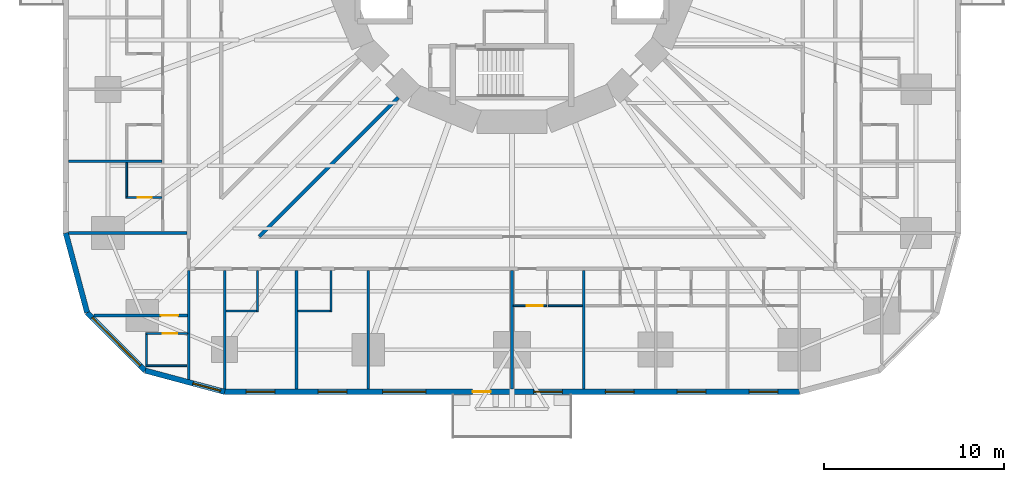
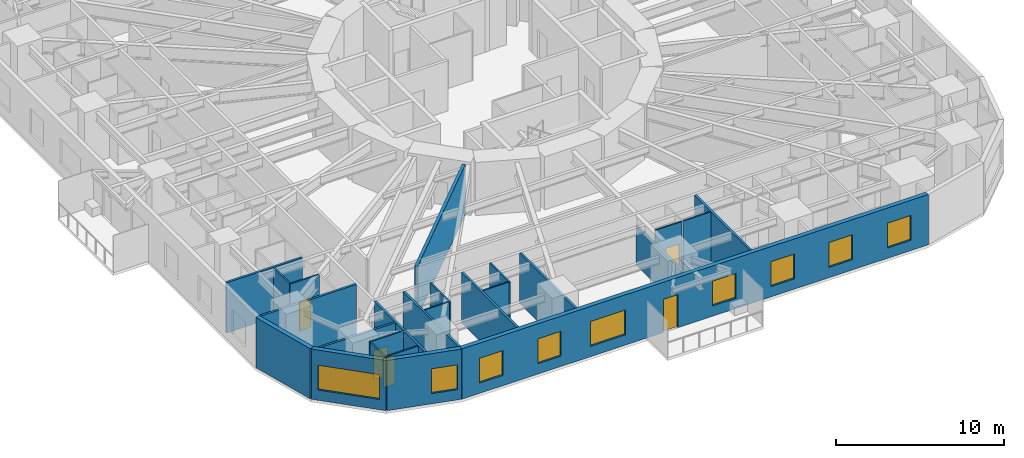
# One storey, part 4 of 14: 25 walls, 9 windows, 5 doors, 14 openings.
"""IFC4 building model written with IfcOpenShell, lengths in metres."""

from ifc_helpers import new_model, si_unit, direction, frame, frame_2d, origin, place, context, subcontext, project, spatial, rectangle, extrude, material, layer, layer_set, type_object, element, fill, save


model = new_model("IFC4")

# Units and contexts
model_context = context("Model", 3, precision=1e-05, world=origin(), true_north=direction((0.0, 1.0)))
body_context = subcontext(model_context, "Body", "Model", "MODEL_VIEW")
ifc_project = project(units=[si_unit("LENGTHUNIT", "METRE"), si_unit("AREAUNIT", "SQUARE_METRE"), si_unit("VOLUMEUNIT", "CUBIC_METRE"), si_unit("PLANEANGLEUNIT", "RADIAN"), si_unit("MASSUNIT", "GRAM", prefix="KILO")], contexts=[model_context])

# Site, building, storey
site_placement = place(None, origin())
site = spatial("IfcSite", under=ifc_project, at=site_placement, CompositionType="ELEMENT")
building_placement = place(site_placement, origin())
building = spatial("IfcBuilding", under=site, at=building_placement, Name="Nakasero Lantern House", CompositionType="ELEMENT")
storey_placement = place(building_placement, frame((0.0, 0.0, 39.10009765625)))
storey = spatial("IfcBuildingStorey", under=building, at=storey_placement, Name="L09", CompositionType="ELEMENT", Elevation=39.10009765625)

# Wall
ifc_material_1 = material(Name="Blockwork", Category="masonry")
ifc_layer_1 = layer(ifc_material_1, 0.199951171875)
ifc_layer_set_1 = layer_set([ifc_layer_1], Name="Corridor wall 200")
wall_type_1 = type_object("IfcWallType", Name="Corridor wall 200", PredefinedType="PARTITIONING", material=ifc_layer_set_1)
wall_1_placement = place(storey_placement, frame((-6.334228515625, -8.45556640625, 0.0), z_axis=(0.0, 0.0, 1.0), x_axis=(-0.707106781187, -0.707106781187, 0.0)))
element("IfcWall", 1, at=wall_1_placement, inside=storey, type_object=wall_type_1, Name="Corridor wall L09 PS10a", PredefinedType="PARTITIONING", context=body_context, shape_type="SweptSolid", body=[
    extrude(rectangle(XDim=10.9521484375, YDim=0.199951171875, at=frame_2d((5.47607421875, 0.0))), origin(), (0.0, 0.0, 1.0), 3.64990234375),
])

# Wall, opening, door
ifc_material_2 = material(Name="Blockwork", Category="masonry")
ifc_layer_2 = layer(ifc_material_2, 0.10009765625)
ifc_layer_set_2 = layer_set([ifc_layer_2], Name="En-suite wall 100")
wall_type_2 = type_object("IfcWallType", Name="En-suite wall 100", PredefinedType="PARTITIONING", material=ifc_layer_set_2)
wall_2_placement = place(storey_placement, frame((-19.5, -14.02490234375, 0.0), z_axis=(0.0, 0.0, 1.0), x_axis=(-1.0, 0.0, 0.0)))
wall_2 = element("IfcWall", 2, at=wall_2_placement, inside=storey, type_object=wall_type_2, Name="En-suite wall L09 ES2-08", PredefinedType="PARTITIONING", context=body_context, shape_type="SweptSolid", body=[
    extrude(rectangle(XDim=2.0, YDim=0.10009765625, at=frame_2d((1.0, 0.0))), origin(), (0.0, 0.0, 1.0), 3.64990234375),
])
opening_1_placement = place(wall_2_placement, frame((0.550048828125, 0.0, 0.0)))
opening_1 = element("IfcOpeningElement", 3, at=opening_1_placement, cuts=wall_2, Name="Opening D02", PredefinedType="OPENING", context=body_context, shape_type="SweptSolid", body=[
    extrude(rectangle(XDim=0.800048828125, YDim=2.10009765625, at=frame_2d((0.39990234375, 1.050048828125))), frame((0.0, 0.070068359375, 0.0), z_axis=(0.0, -1.0, 0.0), x_axis=(1.0, 0.0, 0.0)), (0.0, 0.0, 1.0), 0.14013671875),
])
ifc_material_3 = material(Name="Timber C24", Category="wood")
door_type_1 = type_object("IfcDoorType", Name="En-suite door 800", OperationType="SINGLE_SWING_RIGHT", PredefinedType="DOOR", material=ifc_material_3)
door_1_placement = place(opening_1_placement, origin())
door_1 = element("IfcDoor", 4, at=door_1_placement, inside=storey, type_object=door_type_1, Name="Door L09 DE2-08", OperationType="SINGLE_SWING_LEFT", OverallHeight=2.10009765625, OverallWidth=0.800048828125, PredefinedType="DOOR", context=body_context, shape_type="SweptSolid", body=[
    extrude(rectangle(XDim=0.800048828125, YDim=2.10009765625, at=frame_2d((0.39990234375, 1.050048828125))), frame((0.0, 0.02490234375, 0.0), z_axis=(0.0, -1.0, 0.0), x_axis=(1.0, 0.0, 0.0)), (0.0, 0.0, 1.0), 0.050048828125),
])
fill(opening_1, door_1)

# Wall
wall_3_placement = place(storey_placement, frame((-21.449951171875, -12.074951171875, 0.0), z_axis=(0.0, 0.0, 1.0), x_axis=(0.0, -1.0, 0.0)))
element("IfcWall", 5, at=wall_3_placement, inside=storey, type_object=wall_type_2, Name="En-suite wall L09 EE2-08", PredefinedType="PARTITIONING", context=body_context, shape_type="SweptSolid", body=[
    extrude(rectangle(XDim=1.900146484375, YDim=0.10009765625, at=frame_2d((0.9501953125, 0.0))), origin(), (0.0, 0.0, 1.0), 3.64990234375),
])

# Wall, opening, door
wall_4_placement = place(storey_placement, frame((-18.06494140625, -21.59619140625, 0.0), z_axis=(0.0, 0.0, 1.0), x_axis=(-1.0, 0.0, 0.0)))
wall_4 = element("IfcWall", 6, at=wall_4_placement, inside=storey, type_object=wall_type_2, Name="En-suite wall L09 ES2-09", PredefinedType="PARTITIONING", context=body_context, shape_type="SweptSolid", body=[
    extrude(rectangle(XDim=2.3349609375, YDim=0.10009765625, at=frame_2d((1.16748046875, 0.0))), origin(), (0.0, 0.0, 1.0), 3.64990234375),
])
opening_2_placement = place(wall_4_placement, frame((0.5849609375, 0.0, 0.0)))
opening_2 = element("IfcOpeningElement", 7, at=opening_2_placement, cuts=wall_4, Name="Opening D02", PredefinedType="OPENING", context=body_context, shape_type="SweptSolid", body=[
    extrude(rectangle(XDim=0.800048828125, YDim=2.10009765625, at=frame_2d((0.39990234375, 1.050048828125))), frame((0.0, 0.070068359375, 0.0), z_axis=(0.0, -1.0, 0.0), x_axis=(1.0, 0.0, 0.0)), (0.0, 0.0, 1.0), 0.14013671875),
])
door_2_placement = place(opening_2_placement, origin())
door_2 = element("IfcDoor", 8, at=door_2_placement, inside=storey, type_object=door_type_1, Name="Door L09 DE2-09", OperationType="SINGLE_SWING_LEFT", OverallHeight=2.10009765625, OverallWidth=0.800048828125, PredefinedType="DOOR", context=body_context, shape_type="SweptSolid", body=[
    extrude(rectangle(XDim=0.800048828125, YDim=2.10009765625, at=frame_2d((0.39990234375, 1.050048828125))), frame((0.0, 0.02490234375, 0.0), z_axis=(0.0, -1.0, 0.0), x_axis=(1.0, 0.0, 0.0)), (0.0, 0.0, 1.0), 0.050048828125),
])
fill(opening_2, door_2)

# Walls
wall_5_placement = place(storey_placement, frame((-20.35009765625, -21.646240234375, 0.0), z_axis=(0.0, 0.0, 1.0), x_axis=(0.0, -1.0, 0.0)))
element("IfcWall", 9, at=wall_5_placement, inside=storey, type_object=wall_type_2, Name="En-suite wall L09 EE2-09", PredefinedType="PARTITIONING", context=body_context, shape_type="SweptSolid", body=[
    extrude(rectangle(XDim=1.699951171875, YDim=0.10009765625, at=frame_2d((0.85009765625, 0.0))), origin(), (0.0, 0.0, 1.0), 3.64990234375),
])
for number, where, z_axis, x_axis, name in (
    (10, (-18.10009765625, -23.396240234375, 0.0), (0.0, 0.0, 1.0), (-1.0, 0.0, 0.0), "En-suite wall L09 EV2-09"),
    (11, (-14.175048828125, -18.10009765625, 0.0), (0.0, 0.0, 1.0), (0.0, -1.0, 0.0), "En-suite wall L09 ES3-01"),
):
    element("IfcWall", number, at=place(storey_placement, frame(where, z_axis=z_axis, x_axis=x_axis)), inside=storey, type_object=wall_type_2, Name=name, PredefinedType="PARTITIONING", context=body_context, shape_type="SweptSolid", body=[
        extrude(rectangle(XDim=2.2998046875, YDim=0.10009765625, at=frame_2d((1.14990234375, 0.0))), origin(), (0.0, 0.0, 1.0), 3.64990234375),
    ])
wall_6_placement = place(storey_placement, frame((-15.925048828125, -20.35009765625, 0.0), z_axis=(0.0, 0.0, 1.0), x_axis=(1.0, 0.0, 0.0)))
element("IfcWall", 12, at=wall_6_placement, inside=storey, type_object=wall_type_2, Name="En-suite wall L09 EE3-01", PredefinedType="PARTITIONING", context=body_context, shape_type="SweptSolid", body=[
    extrude(rectangle(XDim=1.699951171875, YDim=0.10009765625, at=frame_2d((0.85009765625, 0.0))), origin(), (0.0, 0.0, 1.0), 3.64990234375),
])
wall_7_placement = place(storey_placement, frame((-10.074951171875, -18.10009765625, 0.0), z_axis=(0.0, 0.0, 1.0), x_axis=(0.0, -1.0, 0.0)))
element("IfcWall", 13, at=wall_7_placement, inside=storey, type_object=wall_type_2, Name="En-suite wall L09 ES3-02", PredefinedType="PARTITIONING", context=body_context, shape_type="SweptSolid", body=[
    extrude(rectangle(XDim=2.2998046875, YDim=0.10009765625, at=frame_2d((1.14990234375, 0.0))), origin(), (0.0, 0.0, 1.0), 3.64990234375),
])
wall_8_placement = place(storey_placement, frame((-11.925048828125, -20.35009765625, 0.0), z_axis=(0.0, 0.0, 1.0), x_axis=(1.0, 0.0, 0.0)))
element("IfcWall", 14, at=wall_8_placement, inside=storey, type_object=wall_type_2, Name="En-suite wall L09 EE3-02", PredefinedType="PARTITIONING", context=body_context, shape_type="SweptSolid", body=[
    extrude(rectangle(XDim=1.800048828125, YDim=0.10009765625, at=frame_2d((0.89990234375, 0.0))), origin(), (0.0, 0.0, 1.0), 3.64990234375),
])
wall_9_placement = place(storey_placement, frame((2.02490234375, -20.050048828125, 0.0), z_axis=(0.0, 0.0, 1.0), x_axis=(1.0, 0.0, 0.0)))
element("IfcWall", 15, at=wall_9_placement, inside=storey, type_object=wall_type_2, Name="En-suite wall L09 EE3-05", PredefinedType="PARTITIONING", context=body_context, shape_type="SweptSolid", body=[
    extrude(rectangle(XDim=1.900146484375, YDim=0.10009765625, at=frame_2d((0.9501953125, 0.0))), origin(), (0.0, 0.0, 1.0), 3.64990234375),
])

# Wall, opening, door
wall_10_placement = place(storey_placement, frame((0.074951171875, -20.050048828125, 0.0), z_axis=(0.0, 0.0, 1.0), x_axis=(1.0, 0.0, 0.0)))
wall_10 = element("IfcWall", 16, at=wall_10_placement, inside=storey, type_object=wall_type_2, Name="En-suite wall L09 EL3-05", PredefinedType="PARTITIONING", context=body_context, shape_type="SweptSolid", body=[
    extrude(rectangle(XDim=1.85009765625, YDim=0.10009765625, at=frame_2d((0.925048828125, 0.0))), origin(), (0.0, 0.0, 1.0), 3.64990234375),
])
opening_3_placement = place(wall_10_placement, frame((0.75, 0.0, 0.0)))
opening_3 = element("IfcOpeningElement", 17, at=opening_3_placement, cuts=wall_10, Name="Opening D17", PredefinedType="OPENING", context=body_context, shape_type="SweptSolid", body=[
    extrude(rectangle(XDim=0.89990234375, YDim=2.10009765625, at=frame_2d((0.449951171875, 1.050048828125))), frame((0.0, 0.070068359375, 0.0), z_axis=(0.0, -1.0, 0.0), x_axis=(1.0, 0.0, 0.0)), (0.0, 0.0, 1.0), 0.14013671875),
])
ifc_material_4 = material(Name="Timber C24", Category="wood")
door_type_2 = type_object("IfcDoorType", Name="Bedroom door FD30S 900", OperationType="SINGLE_SWING_LEFT", PredefinedType="DOOR", material=ifc_material_4)
door_3_placement = place(opening_3_placement, origin())
door_3 = element("IfcDoor", 18, at=door_3_placement, inside=storey, type_object=door_type_2, Name="Door L09 DL3-05", OperationType="SINGLE_SWING_RIGHT", OverallHeight=2.10009765625, OverallWidth=0.89990234375, PredefinedType="DOOR", context=body_context, shape_type="SweptSolid", body=[
    extrude(rectangle(XDim=0.89990234375, YDim=2.10009765625, at=frame_2d((0.449951171875, 1.050048828125))), frame((0.0, 0.02490234375, 0.0), z_axis=(0.0, -1.0, 0.0), x_axis=(1.0, 0.0, 0.0)), (0.0, 0.0, 1.0), 0.050048828125),
])
fill(opening_3, door_3)

# Wall
ifc_material_5 = material(Name="Aluminium rainscreen on blockwork", Category="masonry")
ifc_layer_3 = layer(ifc_material_5, 0.300048828125)
ifc_layer_set_3 = layer_set([ifc_layer_3], Name="Facade wall 300")
wall_type_3 = type_object("IfcWallType", Name="Facade wall 300", PredefinedType="SOLIDWALL", material=ifc_layer_set_3)
wall_11_placement = place(storey_placement, frame((-24.85009765625, -16.0, 0.0), z_axis=(0.0, 0.0, 1.0), x_axis=(0.258839972501, -0.965920218567, 0.0)))
element("IfcWall", 19, at=wall_11_placement, inside=storey, type_object=wall_type_3, Name="Facade wall L09 FW2C1", PredefinedType="SOLIDWALL", context=body_context, shape_type="SweptSolid", body=[
    extrude(rectangle(XDim=4.5810546875, YDim=0.300048828125, at=frame_2d((2.29052734375, 0.0))), origin(), (0.0, 0.0, 1.0), 3.64990234375),
])

# Wall, opening, window
wall_12_placement = place(storey_placement, frame((-23.664306640625, -20.425048828125, 0.0), z_axis=(0.0, 0.0, 1.0), x_axis=(0.707106781187, -0.707106781187, 0.0)))
wall_12 = element("IfcWall", 20, at=wall_12_placement, inside=storey, type_object=wall_type_3, Name="Facade wall L09 FW2C2", PredefinedType="SOLIDWALL", context=body_context, shape_type="SweptSolid", body=[
    extrude(rectangle(XDim=4.5810546875, YDim=0.300048828125, at=frame_2d((2.29052734375, 0.0))), origin(), (0.0, 0.0, 1.0), 3.64990234375),
])
opening_4_placement = place(wall_12_placement, frame((0.39990234375, 0.0, 0.75)))
opening_4 = element("IfcOpeningElement", 21, at=opening_4_placement, cuts=wall_12, Name="Opening W237", PredefinedType="OPENING", context=body_context, shape_type="SweptSolid", body=[
    extrude(rectangle(XDim=3.781005859375, YDim=1.800048828125, at=frame_2d((1.890625, 0.89990234375))), frame((0.0, 0.169921875, 0.0), z_axis=(0.0, -1.0, 0.0), x_axis=(1.0, 0.0, 0.0)), (0.0, 0.0, 1.0), 0.340087890625),
])
ifc_material_6 = material(Name="Aluminium 6063-T6 and glass", Category="aluminium")
window_type_1 = type_object("IfcWindowType", Name="Corner window 3781x1800", PartitioningType="SINGLE_PANEL", PredefinedType="WINDOW", material=ifc_material_6)
window_1_placement = place(opening_4_placement, origin())
window_1 = element("IfcWindow", 22, at=window_1_placement, inside=storey, type_object=window_type_1, Name="Window L09 WC2", OverallHeight=1.800048828125, OverallWidth=3.781005859375, PartitioningType="SINGLE_PANEL", PredefinedType="WINDOW", context=body_context, shape_type="SweptSolid", body=[
    extrude(rectangle(XDim=3.781005859375, YDim=1.800048828125, at=frame_2d((1.890625, 0.89990234375))), frame((0.0, 0.030029296875, 0.0), z_axis=(0.0, -1.0, 0.0), x_axis=(1.0, 0.0, 0.0)), (0.0, 0.0, 1.0), 0.06005859375),
])
fill(opening_4, window_1)

wall_13_placement = place(storey_placement, frame((-20.425048828125, -23.664306640625, 0.0), z_axis=(0.0, 0.0, 1.0), x_axis=(0.965920218567, -0.258839972501, 0.0)))
wall_13 = element("IfcWall", 23, at=wall_13_placement, inside=storey, type_object=wall_type_3, Name="Facade wall L09 FW2C3", PredefinedType="SOLIDWALL", context=body_context, shape_type="SweptSolid", body=[
    extrude(rectangle(XDim=4.5810546875, YDim=0.300048828125, at=frame_2d((2.29052734375, 0.0))), origin(), (0.0, 0.0, 1.0), 3.64990234375),
])
opening_5_placement = place(wall_13_placement, frame((2.74609375, 0.0, 0.75)))
opening_5 = element("IfcOpeningElement", 24, at=opening_5_placement, cuts=wall_13, Name="Opening W01", PredefinedType="OPENING", context=body_context, shape_type="SweptSolid", body=[
    extrude(rectangle(XDim=1.60009765625, YDim=1.800048828125, at=frame_2d((0.800048828125, 0.89990234375))), frame((0.0, 0.169921875, 0.0), z_axis=(0.0, -1.0, 0.0), x_axis=(1.0, 0.0, 0.0)), (0.0, 0.0, 1.0), 0.340087890625),
])
ifc_material_7 = material(Name="Aluminium 6063-T6 and glass", Category="aluminium")
window_type_2 = type_object("IfcWindowType", Name="Bedroom window 1600x1800", PartitioningType="SINGLE_PANEL", PredefinedType="WINDOW", material=ifc_material_7)
window_2_placement = place(opening_5_placement, origin())
window_2 = element("IfcWindow", 25, at=window_2_placement, inside=storey, type_object=window_type_2, Name="Window L09 WN3-00", OverallHeight=1.800048828125, OverallWidth=1.60009765625, PartitioningType="SINGLE_PANEL", PredefinedType="WINDOW", context=body_context, shape_type="SweptSolid", body=[
    extrude(rectangle(XDim=1.60009765625, YDim=1.800048828125, at=frame_2d((0.800048828125, 0.89990234375))), frame((0.0, 0.030029296875, 0.0), z_axis=(0.0, -1.0, 0.0), x_axis=(1.0, 0.0, 0.0)), (0.0, 0.0, 1.0), 0.06005859375),
])
fill(opening_5, window_2)

# Wall, openings, door, windows
wall_14_placement = place(storey_placement, frame((-16.0, -24.85009765625, 0.0), z_axis=(0.0, 0.0, 1.0), x_axis=(1.0, 0.0, 0.0)))
wall_14 = element("IfcWall", 26, at=wall_14_placement, inside=storey, type_object=wall_type_3, Name="Facade wall L09 FW3S", PredefinedType="SOLIDWALL", context=body_context, shape_type="SweptSolid", body=[
    extrude(rectangle(XDim=32.0, YDim=0.300048828125, at=frame_2d((16.0, 0.0))), origin(), (0.0, 0.0, 1.0), 3.64990234375),
])
opening_6_placement = place(wall_14_placement, frame((1.199951171875, 0.0, 0.75)))
opening_6 = element("IfcOpeningElement", 27, at=opening_6_placement, cuts=wall_14, Name="Opening W01", PredefinedType="OPENING", context=body_context, shape_type="SweptSolid", body=[
    extrude(rectangle(XDim=1.60009765625, YDim=1.800048828125, at=frame_2d((0.800048828125, 0.89990234375))), frame((0.0, 0.169921875, 0.0), z_axis=(0.0, -1.0, 0.0), x_axis=(1.0, 0.0, 0.0)), (0.0, 0.0, 1.0), 0.340087890625),
])
opening_7_placement = place(wall_14_placement, frame((5.199951171875, 0.0, 0.75)))
opening_7 = element("IfcOpeningElement", 28, at=opening_7_placement, cuts=wall_14, Name="Opening W01", PredefinedType="OPENING", context=body_context, shape_type="SweptSolid", body=[
    extrude(rectangle(XDim=1.60009765625, YDim=1.800048828125, at=frame_2d((0.800048828125, 0.89990234375))), frame((0.0, 0.169921875, 0.0), z_axis=(0.0, -1.0, 0.0), x_axis=(1.0, 0.0, 0.0)), (0.0, 0.0, 1.0), 0.340087890625),
])
opening_8_placement = place(wall_14_placement, frame((17.199951171875, 0.0, 0.75)))
opening_8 = element("IfcOpeningElement", 29, at=opening_8_placement, cuts=wall_14, Name="Opening W01", PredefinedType="OPENING", context=body_context, shape_type="SweptSolid", body=[
    extrude(rectangle(XDim=1.60009765625, YDim=1.800048828125, at=frame_2d((0.800048828125, 0.89990234375))), frame((0.0, 0.169921875, 0.0), z_axis=(0.0, -1.0, 0.0), x_axis=(1.0, 0.0, 0.0)), (0.0, 0.0, 1.0), 0.340087890625),
])
opening_9_placement = place(wall_14_placement, frame((21.199951171875, 0.0, 0.75)))
opening_9 = element("IfcOpeningElement", 30, at=opening_9_placement, cuts=wall_14, Name="Opening W01", PredefinedType="OPENING", context=body_context, shape_type="SweptSolid", body=[
    extrude(rectangle(XDim=1.60009765625, YDim=1.800048828125, at=frame_2d((0.800048828125, 0.89990234375))), frame((0.0, 0.169921875, 0.0), z_axis=(0.0, -1.0, 0.0), x_axis=(1.0, 0.0, 0.0)), (0.0, 0.0, 1.0), 0.340087890625),
])
opening_10_placement = place(wall_14_placement, frame((25.199951171875, 0.0, 0.75)))
opening_10 = element("IfcOpeningElement", 31, at=opening_10_placement, cuts=wall_14, Name="Opening W01", PredefinedType="OPENING", context=body_context, shape_type="SweptSolid", body=[
    extrude(rectangle(XDim=1.60009765625, YDim=1.800048828125, at=frame_2d((0.800048828125, 0.89990234375))), frame((0.0, 0.169921875, 0.0), z_axis=(0.0, -1.0, 0.0), x_axis=(1.0, 0.0, 0.0)), (0.0, 0.0, 1.0), 0.340087890625),
])
opening_11_placement = place(wall_14_placement, frame((29.199951171875, 0.0, 0.75)))
opening_11 = element("IfcOpeningElement", 32, at=opening_11_placement, cuts=wall_14, Name="Opening W01", PredefinedType="OPENING", context=body_context, shape_type="SweptSolid", body=[
    extrude(rectangle(XDim=1.60009765625, YDim=1.800048828125, at=frame_2d((0.800048828125, 0.89990234375))), frame((0.0, 0.169921875, 0.0), z_axis=(0.0, -1.0, 0.0), x_axis=(1.0, 0.0, 0.0)), (0.0, 0.0, 1.0), 0.340087890625),
])
opening_12_placement = place(wall_14_placement, frame((8.800048828125, 0.0, 0.75)))
opening_12 = element("IfcOpeningElement", 33, at=opening_12_placement, cuts=wall_14, Name="Opening W03", PredefinedType="OPENING", context=body_context, shape_type="SweptSolid", body=[
    extrude(rectangle(XDim=2.39990234375, YDim=1.800048828125, at=frame_2d((1.199951171875, 0.89990234375))), frame((0.0, 0.169921875, 0.0), z_axis=(0.0, -1.0, 0.0), x_axis=(1.0, 0.0, 0.0)), (0.0, 0.0, 1.0), 0.340087890625),
])
opening_13_placement = place(wall_14_placement, frame((13.8125, 0.0, 0.0)))
opening_13 = element("IfcOpeningElement", 34, at=opening_13_placement, cuts=wall_14, Name="Opening D04", PredefinedType="OPENING", context=body_context, shape_type="SweptSolid", body=[
    extrude(rectangle(XDim=1.0, YDim=2.39990234375, at=frame_2d((0.5, 1.199951171875))), frame((0.0, 0.169921875, 0.0), z_axis=(0.0, -1.0, 0.0), x_axis=(1.0, 0.0, 0.0)), (0.0, 0.0, 1.0), 0.340087890625),
])
ifc_material_8 = material(Name="Aluminium 6063-T6 and glass", Category="aluminium")
door_type_3 = type_object("IfcDoorType", Name="Balcony door 1000x2400", OperationType="SINGLE_SWING_RIGHT", PredefinedType="DOOR", material=ifc_material_8)
door_4_placement = place(opening_13_placement, origin())
door_4 = element("IfcDoor", 35, at=door_4_placement, inside=storey, type_object=door_type_3, Name="Balcony door L09 DB3", OperationType="SINGLE_SWING_RIGHT", OverallHeight=2.39990234375, OverallWidth=1.0, PredefinedType="DOOR", context=body_context, shape_type="SweptSolid", body=[
    extrude(rectangle(XDim=1.0, YDim=2.39990234375, at=frame_2d((0.5, 1.199951171875))), frame((0.0, 0.02490234375, 0.0), z_axis=(0.0, -1.0, 0.0), x_axis=(1.0, 0.0, 0.0)), (0.0, 0.0, 1.0), 0.050048828125),
])
fill(opening_13, door_4)
window_3_placement = place(opening_6_placement, origin())
window_3 = element("IfcWindow", 36, at=window_3_placement, inside=storey, type_object=window_type_2, Name="Window L09 WN3-01", OverallHeight=1.800048828125, OverallWidth=1.60009765625, PartitioningType="SINGLE_PANEL", PredefinedType="WINDOW", context=body_context, shape_type="SweptSolid", body=[
    extrude(rectangle(XDim=1.60009765625, YDim=1.800048828125, at=frame_2d((0.800048828125, 0.89990234375))), frame((0.0, 0.030029296875, 0.0), z_axis=(0.0, -1.0, 0.0), x_axis=(1.0, 0.0, 0.0)), (0.0, 0.0, 1.0), 0.06005859375),
])
fill(opening_6, window_3)
window_4_placement = place(opening_7_placement, origin())
window_4 = element("IfcWindow", 37, at=window_4_placement, inside=storey, type_object=window_type_2, Name="Window L09 WN3-02", OverallHeight=1.800048828125, OverallWidth=1.60009765625, PartitioningType="SINGLE_PANEL", PredefinedType="WINDOW", context=body_context, shape_type="SweptSolid", body=[
    extrude(rectangle(XDim=1.60009765625, YDim=1.800048828125, at=frame_2d((0.800048828125, 0.89990234375))), frame((0.0, 0.030029296875, 0.0), z_axis=(0.0, -1.0, 0.0), x_axis=(1.0, 0.0, 0.0)), (0.0, 0.0, 1.0), 0.06005859375),
])
fill(opening_7, window_4)
window_5_placement = place(opening_8_placement, origin())
window_5 = element("IfcWindow", 38, at=window_5_placement, inside=storey, type_object=window_type_2, Name="Window L09 WN3-05", OverallHeight=1.800048828125, OverallWidth=1.60009765625, PartitioningType="SINGLE_PANEL", PredefinedType="WINDOW", context=body_context, shape_type="SweptSolid", body=[
    extrude(rectangle(XDim=1.60009765625, YDim=1.800048828125, at=frame_2d((0.800048828125, 0.89990234375))), frame((0.0, 0.030029296875, 0.0), z_axis=(0.0, -1.0, 0.0), x_axis=(1.0, 0.0, 0.0)), (0.0, 0.0, 1.0), 0.06005859375),
])
fill(opening_8, window_5)
window_6_placement = place(opening_9_placement, origin())
window_6 = element("IfcWindow", 39, at=window_6_placement, inside=storey, type_object=window_type_2, Name="Window L09 WN3-06", OverallHeight=1.800048828125, OverallWidth=1.60009765625, PartitioningType="SINGLE_PANEL", PredefinedType="WINDOW", context=body_context, shape_type="SweptSolid", body=[
    extrude(rectangle(XDim=1.60009765625, YDim=1.800048828125, at=frame_2d((0.800048828125, 0.89990234375))), frame((0.0, 0.030029296875, 0.0), z_axis=(0.0, -1.0, 0.0), x_axis=(1.0, 0.0, 0.0)), (0.0, 0.0, 1.0), 0.06005859375),
])
fill(opening_9, window_6)
window_7_placement = place(opening_10_placement, origin())
window_7 = element("IfcWindow", 40, at=window_7_placement, inside=storey, type_object=window_type_2, Name="Window L09 WN3-07", OverallHeight=1.800048828125, OverallWidth=1.60009765625, PartitioningType="SINGLE_PANEL", PredefinedType="WINDOW", context=body_context, shape_type="SweptSolid", body=[
    extrude(rectangle(XDim=1.60009765625, YDim=1.800048828125, at=frame_2d((0.800048828125, 0.89990234375))), frame((0.0, 0.030029296875, 0.0), z_axis=(0.0, -1.0, 0.0), x_axis=(1.0, 0.0, 0.0)), (0.0, 0.0, 1.0), 0.06005859375),
])
fill(opening_10, window_7)
window_8_placement = place(opening_11_placement, origin())
window_8 = element("IfcWindow", 41, at=window_8_placement, inside=storey, type_object=window_type_2, Name="Window L09 WN3-08", OverallHeight=1.800048828125, OverallWidth=1.60009765625, PartitioningType="SINGLE_PANEL", PredefinedType="WINDOW", context=body_context, shape_type="SweptSolid", body=[
    extrude(rectangle(XDim=1.60009765625, YDim=1.800048828125, at=frame_2d((0.800048828125, 0.89990234375))), frame((0.0, 0.030029296875, 0.0), z_axis=(0.0, -1.0, 0.0), x_axis=(1.0, 0.0, 0.0)), (0.0, 0.0, 1.0), 0.06005859375),
])
fill(opening_11, window_8)
ifc_material_9 = material(Name="Aluminium 6063-T6 and glass", Category="aluminium")
window_type_3 = type_object("IfcWindowType", Name="Lounge window 2400x1800", PartitioningType="SINGLE_PANEL", PredefinedType="WINDOW", material=ifc_material_9)
window_9_placement = place(opening_12_placement, origin())
window_9 = element("IfcWindow", 42, at=window_9_placement, inside=storey, type_object=window_type_3, Name="Window L09 WK3", OverallHeight=1.800048828125, OverallWidth=2.39990234375, PartitioningType="SINGLE_PANEL", PredefinedType="WINDOW", context=body_context, shape_type="SweptSolid", body=[
    extrude(rectangle(XDim=2.39990234375, YDim=1.800048828125, at=frame_2d((1.199951171875, 0.89990234375))), frame((0.0, 0.030029296875, 0.0), z_axis=(0.0, -1.0, 0.0), x_axis=(1.0, 0.0, 0.0)), (0.0, 0.0, 1.0), 0.06005859375),
])
fill(opening_12, window_9)

# Walls
ifc_material_10 = material(Name="Blockwork", Category="masonry")
ifc_layer_4 = layer(ifc_material_10, 0.14990234375)
ifc_layer_set_4 = layer_set([ifc_layer_4], Name="Party wall 150")
wall_type_4 = type_object("IfcWallType", Name="Party wall 150", PredefinedType="PARTITIONING", material=ifc_layer_set_4)
wall_15_placement = place(storey_placement, frame((-19.5, -12.0, 0.0), z_axis=(0.0, 0.0, 1.0), x_axis=(-1.0, 0.0, 0.0)))
element("IfcWall", 43, at=wall_15_placement, inside=storey, type_object=wall_type_4, Name="Party wall L09 PW2-08", PredefinedType="PARTITIONING", context=body_context, shape_type="SweptSolid", body=[
    extrude(rectangle(XDim=5.199951171875, YDim=0.14990234375, at=frame_2d((2.60009765625, 0.0))), origin(), (0.0, 0.0, 1.0), 3.64990234375),
])
wall_16_placement = place(storey_placement, frame((-18.10009765625, -16.0, 0.0), z_axis=(0.0, 0.0, 1.0), x_axis=(-1.0, 0.0, 0.0)))
element("IfcWall", 44, at=wall_16_placement, inside=storey, type_object=wall_type_4, Name="Party wall L09 PW2-09", PredefinedType="PARTITIONING", context=body_context, shape_type="SweptSolid", body=[
    extrude(rectangle(XDim=6.58935546875, YDim=0.14990234375, at=frame_2d((3.294677734375, 0.0))), origin(), (0.0, 0.0, 1.0), 3.64990234375),
])

# Wall, opening, door
wall_17_placement = place(storey_placement, frame((-18.06494140625, -20.59619140625, 0.0), z_axis=(0.0, 0.0, 1.0), x_axis=(-1.0, 0.0, 0.0)))
wall_17 = element("IfcWall", 45, at=wall_17_placement, inside=storey, type_object=wall_type_4, Name="Party wall L09 PC2", PredefinedType="PARTITIONING", context=body_context, shape_type="SweptSolid", body=[
    extrude(rectangle(XDim=5.208740234375, YDim=0.14990234375, at=frame_2d((2.6044921875, 0.0))), origin(), (0.0, 0.0, 1.0), 3.64990234375),
])
opening_14_placement = place(wall_17_placement, frame((0.534912109375, 0.0, 0.0)))
opening_14 = element("IfcOpeningElement", 46, at=opening_14_placement, cuts=wall_17, Name="Opening D01", PredefinedType="OPENING", context=body_context, shape_type="SweptSolid", body=[
    extrude(rectangle(XDim=0.949951171875, YDim=2.10009765625, at=frame_2d((0.47509765625, 1.050048828125))), frame((0.0, 0.094970703125, 0.0), z_axis=(0.0, -1.0, 0.0), x_axis=(1.0, 0.0, 0.0)), (0.0, 0.0, 1.0), 0.18994140625),
])
ifc_material_11 = material(Name="Timber C24", Category="wood")
door_type_4 = type_object("IfcDoorType", Name="Bedroom door FD30S 950", OperationType="SINGLE_SWING_LEFT", PredefinedType="DOOR", material=ifc_material_11)
door_5_placement = place(opening_14_placement, origin())
door_5 = element("IfcDoor", 47, at=door_5_placement, inside=storey, type_object=door_type_4, Name="Door L09 DC2", OperationType="SINGLE_SWING_LEFT", OverallHeight=2.10009765625, OverallWidth=0.949951171875, PredefinedType="DOOR", context=body_context, shape_type="SweptSolid", body=[
    extrude(rectangle(XDim=0.949951171875, YDim=2.10009765625, at=frame_2d((0.47509765625, 1.050048828125))), frame((0.0, 0.02490234375, 0.0), z_axis=(0.0, -1.0, 0.0), x_axis=(1.0, 0.0, 0.0)), (0.0, 0.0, 1.0), 0.050048828125),
])
fill(opening_14, door_5)

# Walls
wall_18_placement = place(storey_placement, frame((-18.0, -18.10009765625, 0.0), z_axis=(0.0, 0.0, 1.0), x_axis=(0.0, -1.0, 0.0)))
element("IfcWall", 48, at=wall_18_placement, inside=storey, type_object=wall_type_4, Name="Party wall L09 PW3-00", PredefinedType="PARTITIONING", context=body_context, shape_type="SweptSolid", body=[
    extrude(rectangle(XDim=6.053466796875, YDim=0.14990234375, at=frame_2d((3.02685546875, 0.0))), origin(), (0.0, 0.0, 1.0), 3.64990234375),
])
wall_19_placement = place(storey_placement, frame((-16.0, -18.10009765625, 0.0), z_axis=(0.0, 0.0, 1.0), x_axis=(0.0, -1.0, 0.0)))
element("IfcWall", 49, at=wall_19_placement, inside=storey, type_object=wall_type_4, Name="Party wall L09 PW3-01", PredefinedType="PARTITIONING", context=body_context, shape_type="SweptSolid", body=[
    extrude(rectangle(XDim=6.58935546875, YDim=0.14990234375, at=frame_2d((3.294677734375, 0.0))), origin(), (0.0, 0.0, 1.0), 3.64990234375),
])
for number, where, z_axis, x_axis, name in (
    (50, (-12.0, -18.10009765625, 0.0), (0.0, 0.0, 1.0), (0.0, -1.0, 0.0), "Party wall L09 PW3-02"),
    (51, (-8.0, -18.10009765625, 0.0), (0.0, 0.0, 1.0), (0.0, -1.0, 0.0), "Party wall L09 PW3-03"),
):
    element("IfcWall", number, at=place(storey_placement, frame(where, z_axis=z_axis, x_axis=x_axis)), inside=storey, type_object=wall_type_4, Name=name, PredefinedType="PARTITIONING", context=body_context, shape_type="SweptSolid", body=[
        extrude(rectangle(XDim=6.599853515625, YDim=0.14990234375, at=frame_2d((3.2998046875, 0.0))), origin(), (0.0, 0.0, 1.0), 3.64990234375),
    ])
wall_20_placement = place(storey_placement, frame((0.0, -18.10009765625, 0.0), z_axis=(0.0, 0.0, 1.0), x_axis=(0.0, -1.0, 0.0)))
element("IfcWall", 52, at=wall_20_placement, inside=storey, type_object=wall_type_4, Name="Party wall L09 PW3-05", PredefinedType="PARTITIONING", context=body_context, shape_type="SweptSolid", body=[
    extrude(rectangle(XDim=6.599853515625, YDim=0.14990234375, at=frame_2d((3.2998046875, 0.0))), origin(), (0.0, 0.0, 1.0), 2.80908203125),
])
wall_21_placement = place(storey_placement, frame((4.0, -18.10009765625, 0.0), z_axis=(0.0, 0.0, 1.0), x_axis=(0.0, -1.0, 0.0)))
element("IfcWall", 53, at=wall_21_placement, inside=storey, type_object=wall_type_4, Name="Party wall L09 PW3-06", PredefinedType="PARTITIONING", context=body_context, shape_type="SweptSolid", body=[
    extrude(rectangle(XDim=6.599853515625, YDim=0.14990234375, at=frame_2d((3.2998046875, 0.0))), origin(), (0.0, 0.0, 1.0), 3.64990234375),
])

save(model, "model.ifc")
